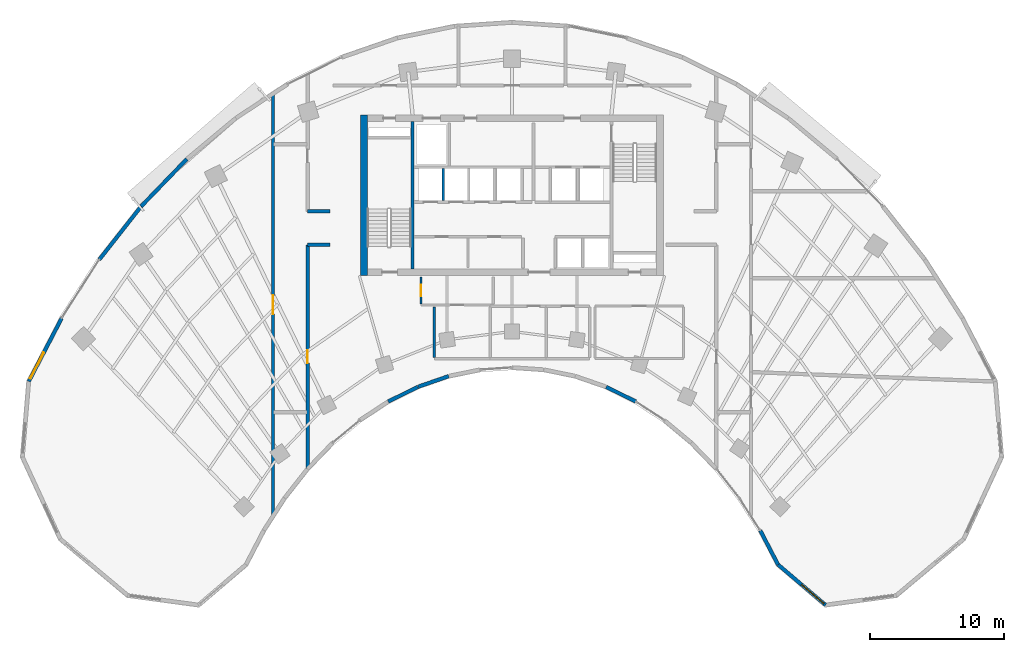
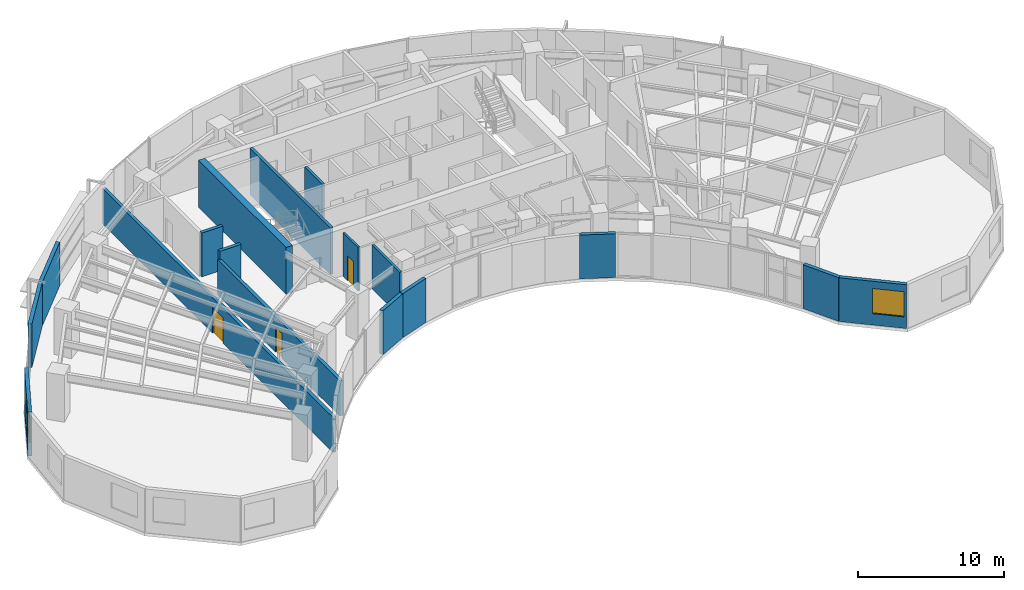
# One storey, part 8 of 14: 17 walls, 3 doors, 2 windows, 5 openings.
"""IFC4 building model written with IfcOpenShell, lengths in metres."""

from ifc_helpers import new_model, si_unit, direction, frame, frame_2d, origin, place, context, subcontext, project, spatial, rectangle, extrude, source, transform, mapped, material, layer, layer_set, type_object, type_shapes, element, fill, save


model = new_model("IFC4")

# Units and contexts
model_context = context("Model", 3, precision=1e-05, world=origin(), true_north=direction((0.0, 1.0)))
body_context = subcontext(model_context, "Body", "Model", "MODEL_VIEW")
ifc_project = project(units=[si_unit("LENGTHUNIT", "METRE"), si_unit("AREAUNIT", "SQUARE_METRE"), si_unit("VOLUMEUNIT", "CUBIC_METRE"), si_unit("PLANEANGLEUNIT", "RADIAN"), si_unit("MASSUNIT", "GRAM", prefix="KILO")], contexts=[model_context])

# Site, building, storey
site_placement = place(None, origin())
site = spatial("IfcSite", under=ifc_project, at=site_placement, CompositionType="ELEMENT")
building_placement = place(site_placement, origin())
building = spatial("IfcBuilding", under=site, at=building_placement, Name="Breltana Convention Tower", CompositionType="ELEMENT")
storey_placement = place(building_placement, frame((0.0, 0.0, 119.39990234375)))
storey = spatial("IfcBuildingStorey", under=building, at=storey_placement, Name="L28", CompositionType="ELEMENT", Elevation=119.39990234375)

# Walls
ifc_material_1 = material(Name="Concrete C60/75", Category="concrete")
ifc_layer_1 = layer(ifc_material_1, 0.5, Name="Concrete C60/75")
ifc_layer_set_1 = layer_set([ifc_layer_1], Name="Concrete C60/75")
wall_type_1 = type_object("IfcWallType", Name="SW-CORE-500", PredefinedType="SHEAR", material=ifc_layer_set_1)
shared_shape_1 = source(origin(), body_context, "Body", "SweptSolid", [
    extrude(rectangle(XDim=12.0, YDim=0.5, at=frame_2d((6.0, 0.0))), origin(), (0.0, 0.0, 1.0), 3.900146484375),
])
wall_1_placement = place(storey_placement, frame((36.949951171875, 60.199951171875, 0.0), z_axis=(0.0, 0.0, 1.0), x_axis=(0.0, 1.0, 0.0)))
element("IfcWall", 1, at=wall_1_placement, inside=storey, type_object=wall_type_1, Name="L28 West Core Shear Wall", PredefinedType="SHEAR", context=body_context, shape_type="MappedRepresentation", body=[
    mapped(shared_shape_1, transform((0.0, 0.0, 0.0), scale=1.0)),
])
ifc_material_2 = material(Name="Concrete C50/60", Category="concrete")
ifc_layer_2 = layer(ifc_material_2, 0.39990234375, Name="Concrete C50/60")
ifc_layer_set_2 = layer_set([ifc_layer_2], Name="Concrete C50/60")
wall_type_2 = type_object("IfcWallType", Name="SW-CORE-400", PredefinedType="SHEAR", material=ifc_layer_set_2)
shared_shape_2 = source(origin(), body_context, "Body", "SweptSolid", [
    extrude(rectangle(XDim=11.0, YDim=0.219970703125, at=frame_2d((5.5, 0.0))), origin(), (0.0, 0.0, 1.0), 3.900146484375),
])
wall_2_placement = place(storey_placement, frame((40.580078125, 60.699951171875, 0.0), z_axis=(0.0, 0.0, 1.0), x_axis=(0.0, 1.0, 0.0)))
element("IfcWall", 2, at=wall_2_placement, inside=storey, type_object=wall_type_2, Name="L28 Core West Stair Spine Wall", PredefinedType="SHEAR", context=body_context, shape_type="MappedRepresentation", body=[
    mapped(shared_shape_2, transform((0.0, 0.0, 0.0), scale=1.0)),
])

# Wall, opening, window
ifc_material_3 = material(Name="Limestone Buff Insulated Wall", Category="masonry")
ifc_layer_3 = layer(ifc_material_3, 0.280029296875, Name="Limestone Buff Insulated Wall")
ifc_layer_set_3 = layer_set([ifc_layer_3], Name="Limestone Buff Insulated Wall")
wall_type_3 = type_object("IfcWallType", Name="WL-EXT-NOSE-280", PredefinedType="SOLIDWALL", material=ifc_layer_set_3)
shared_shape_3 = source(origin(), body_context, "Body", "SweptSolid", [
    extrude(rectangle(XDim=4.6591796875, YDim=0.280029296875, at=frame_2d((2.32958984375, 0.0))), origin(), (0.0, 0.0, 1.0), 3.650146484375),
])
wall_3_placement = place(storey_placement, frame((71.410400390625, 35.606201171875, 0.0), z_axis=(0.0, 0.0, 1.0), x_axis=(-0.761913458795, 0.647678841176, 0.0)))
wall_3 = element("IfcWall", 3, at=wall_3_placement, inside=storey, type_object=wall_type_3, Name="L28 curved limestone nose wall E5", PredefinedType="SOLIDWALL", context=body_context, shape_type="MappedRepresentation", body=[
    mapped(shared_shape_3, transform((0.0, 0.0, 0.0), scale=1.0)),
])
opening_1_placement = place(wall_3_placement, frame((0.159912109375, 0.0, 0.949951171875)))
opening_1 = element("IfcOpeningElement", 4, at=opening_1_placement, cuts=wall_3, Name="Opening W-03", PredefinedType="OPENING", context=body_context, shape_type="SweptSolid", body=[
    extrude(rectangle(XDim=2.199951171875, YDim=2.10009765625, at=frame_2d((1.10009765625, 1.050048828125))), frame((0.0, 0.14990234375, 0.0), z_axis=(0.0, -1.0, 0.0), x_axis=(1.0, 0.0, 0.0)), (0.0, 0.0, 1.0), 0.300048828125),
])
ifc_material_4 = material(Name="Glass Low-E Insulated Window", Category="glass")
window_type = type_object("IfcWindowType", Name="WN-NOSE-2200X2100", PartitioningType="TRIPLE_PANEL_VERTICAL", PredefinedType="WINDOW", material=ifc_material_4)
shared_shape_4 = source(origin(), body_context, "Body", "SweptSolid", [
    extrude(rectangle(XDim=2.199951171875, YDim=2.10009765625, at=frame_2d((1.10009765625, 1.050048828125))), frame((0.0, 0.030029296875, 0.0), z_axis=(0.0, -1.0, 0.0), x_axis=(1.0, 0.0, 0.0)), (0.0, 0.0, 1.0), 0.06005859375),
])
type_shapes(window_type, [shared_shape_4])
window_1_placement = place(opening_1_placement, origin())
window_1 = element("IfcWindow", 5, at=window_1_placement, inside=storey, type_object=window_type, Name="L28 nose window E5", OverallHeight=2.10009765625, OverallWidth=2.199951171875, PartitioningType="TRIPLE_PANEL_VERTICAL", PredefinedType="WINDOW", context=body_context, shape_type="MappedRepresentation", body=[
    mapped(shared_shape_4, transform((0.0, 0.0, 0.0), scale=1.0)),
])
fill(opening_1, window_1)

# Walls
shared_shape_5 = source(origin(), body_context, "Body", "SweptSolid", [
    extrude(rectangle(XDim=2.8798828125, YDim=0.280029296875, at=frame_2d((1.43994140625, 0.0))), origin(), (0.0, 0.0, 1.0), 3.650146484375),
])
wall_4_placement = place(storey_placement, frame((67.860595703125, 38.623779296875, 0.0), z_axis=(0.0, 0.0, 1.0), x_axis=(-0.461769086658, 0.887000175088, 0.0)))
element("IfcWall", 6, at=wall_4_placement, inside=storey, type_object=wall_type_3, Name="L28 curved limestone nose wall E6", PredefinedType="SOLIDWALL", context=body_context, shape_type="MappedRepresentation", body=[
    mapped(shared_shape_5, transform((0.0, 0.0, 0.0), scale=1.0)),
])
shared_shape_6 = source(origin(), body_context, "Body", "SweptSolid", [
    extrude(rectangle(XDim=2.46240234375, YDim=0.280029296875, at=frame_2d((1.231201171875, 0.0))), origin(), (0.0, 0.0, 1.0), 3.650146484375),
])
for number, where, z_axis, x_axis, name in (
    (7, (57.239013671875, 50.797119140625, 0.0), (0.0, 0.0, 1.0), (-0.8959882207, 0.444077817917, 0.0), "L28 curved limestone nose wall E9"),
    (8, (40.96728515625, 51.890625, 0.0), (0.0, 0.0, 1.0), (-0.8959882207, -0.444077817917, 0.0), "L28 curved limestone nose wall E15"),
):
    element("IfcWall", number, at=place(storey_placement, frame(where, z_axis=z_axis, x_axis=x_axis)), inside=storey, type_object=wall_type_3, Name=name, PredefinedType="SOLIDWALL", context=body_context, shape_type="MappedRepresentation", body=[
        mapped(shared_shape_6, transform((0.0, 0.0, 0.0), scale=1.0)),
    ])
shared_shape_7 = source(origin(), body_context, "Body", "SweptSolid", [
    extrude(rectangle(XDim=2.41064453125, YDim=0.280029296875, at=frame_2d((1.205322265625, 0.0))), origin(), (0.0, 0.0, 1.0), 3.650146484375),
])
wall_5_placement = place(storey_placement, frame((43.26611328125, 52.688720703125, 0.0), z_axis=(0.0, 0.0, 1.0), x_axis=(-0.944880068161, -0.327416640982, 0.0)))
element("IfcWall", 9, at=wall_5_placement, inside=storey, type_object=wall_type_3, Name="L28 curved limestone nose wall E14", PredefinedType="SOLIDWALL", context=body_context, shape_type="MappedRepresentation", body=[
    mapped(shared_shape_7, transform((0.0, 0.0, 0.0), scale=1.0)),
])

# Wall, opening, window
shared_shape_8 = source(origin(), body_context, "Body", "SweptSolid", [
    extrude(rectangle(XDim=5.315185546875, YDim=0.280029296875, at=frame_2d((2.65771484375, 0.0))), origin(), (0.0, 0.0, 1.0), 3.650146484375),
])
wall_6_placement = place(storey_placement, frame((11.92236328125, 52.305419921875, 0.0), z_axis=(0.0, 0.0, 1.0), x_axis=(0.461760527822, 0.887004630735, 0.0)))
wall_6 = element("IfcWall", 10, at=wall_6_placement, inside=storey, type_object=wall_type_3, Name="L28 curved limestone nose wall W7", PredefinedType="SOLIDWALL", context=body_context, shape_type="MappedRepresentation", body=[
    mapped(shared_shape_8, transform((0.0, 0.0, 0.0), scale=1.0)),
])
opening_2_placement = place(wall_6_placement, frame((0.228759765625, 0.0, 0.949951171875)))
opening_2 = element("IfcOpeningElement", 11, at=opening_2_placement, cuts=wall_6, Name="Opening W-03", PredefinedType="OPENING", context=body_context, shape_type="SweptSolid", body=[
    extrude(rectangle(XDim=2.199951171875, YDim=2.10009765625, at=frame_2d((1.10009765625, 1.050048828125))), frame((0.0, 0.14990234375, 0.0), z_axis=(0.0, -1.0, 0.0), x_axis=(1.0, 0.0, 0.0)), (0.0, 0.0, 1.0), 0.300048828125),
])
window_2_placement = place(opening_2_placement, origin())
window_2 = element("IfcWindow", 12, at=window_2_placement, inside=storey, type_object=window_type, Name="L28 nose window W7", OverallHeight=2.10009765625, OverallWidth=2.199951171875, PartitioningType="TRIPLE_PANEL_VERTICAL", PredefinedType="WINDOW", context=body_context, shape_type="MappedRepresentation", body=[
    mapped(shared_shape_4, transform((0.0, 0.0, 0.0), scale=1.0)),
])
fill(opening_2, window_2)

# Walls
shared_shape_9 = source(origin(), body_context, "Body", "SweptSolid", [
    extrude(rectangle(XDim=5.05810546875, YDim=0.280029296875, at=frame_2d((2.529052734375, 0.0))), origin(), (0.0, 0.0, 1.0), 3.650146484375),
])
wall_7_placement = place(storey_placement, frame((17.1884765625, 61.400390625, 0.0), z_axis=(0.0, 0.0, 1.0), x_axis=(0.618145507434, 0.786063694391, 0.0)))
element("IfcWall", 13, at=wall_7_placement, inside=storey, type_object=wall_type_3, Name="L28 curved limestone nose wall E20", PredefinedType="SOLIDWALL", context=body_context, shape_type="MappedRepresentation", body=[
    mapped(shared_shape_9, transform((0.0, 0.0, 0.0), scale=1.0)),
])
shared_shape_10 = source(origin(), body_context, "Body", "SweptSolid", [
    extrude(rectangle(XDim=4.908447265625, YDim=0.280029296875, at=frame_2d((2.4541015625, 0.0))), origin(), (0.0, 0.0, 1.0), 3.650146484375),
])
wall_8_placement = place(storey_placement, frame((20.315185546875, 65.37646484375, 0.0), z_axis=(0.0, 0.0, 1.0), x_axis=(0.694613154328, 0.719383462302, 0.0)))
element("IfcWall", 14, at=wall_8_placement, inside=storey, type_object=wall_type_3, Name="L28 curved limestone nose wall E21", PredefinedType="SOLIDWALL", context=body_context, shape_type="MappedRepresentation", body=[
    mapped(shared_shape_10, transform((0.0, 0.0, 0.0), scale=1.0)),
])
ifc_material_5 = material(Name="Autoclaved Aerated Concrete Block", Category="concrete")
ifc_layer_4 = layer(ifc_material_5, 0.199951171875, Name="Autoclaved Aerated Concrete Block")
ifc_layer_set_4 = layer_set([ifc_layer_4], Name="Autoclaved Aerated Concrete Block")
wall_type_4 = type_object("IfcWallType", Name="WL-SHAFT-200", PredefinedType="SOLIDWALL", material=ifc_layer_set_4)
shared_shape_11 = source(origin(), body_context, "Body", "SweptSolid", [
    extrude(rectangle(XDim=2.39990234375, YDim=0.199951171875, at=frame_2d((1.199951171875, 0.0))), origin(), (0.0, 0.0, 1.0), 3.650146484375),
])
wall_9_placement = place(storey_placement, frame((42.8701171875, 65.800048828125, 0.0), z_axis=(0.0, 0.0, 1.0), x_axis=(0.0, 1.0, 0.0)))
element("IfcWall", 15, at=wall_9_placement, inside=storey, type_object=wall_type_4, Name="L28 interior partition W-L28-SH-M-DIV1", PredefinedType="SOLIDWALL", context=body_context, shape_type="MappedRepresentation", body=[
    mapped(shared_shape_11, transform((0.0, 0.0, 0.0), scale=1.0)),
])
ifc_material_6 = material(Name="Cement Board Wet-Area Partition")
ifc_layer_5 = layer(ifc_material_6, 0.175048828125, Name="Cement Board Wet-Area Partition")
ifc_layer_set_5 = layer_set([ifc_layer_5], Name="Cement Board Wet-Area Partition")
wall_type_5 = type_object("IfcWallType", Name="WL-WET-175", PredefinedType="PARTITIONING", material=ifc_layer_set_5)
shared_shape_12 = source(origin(), body_context, "Body", "SweptSolid", [
    extrude(rectangle(XDim=3.7626953125, YDim=0.175048828125, at=frame_2d((1.88134765625, 0.0))), origin(), (0.0, 0.0, 1.0), 3.650146484375),
])
wall_10_placement = place(storey_placement, frame((42.199951171875, 54.07861328125, 0.0), z_axis=(0.0, 0.0, 1.0), x_axis=(0.0, 1.0, 0.0)))
element("IfcWall", 16, at=wall_10_placement, inside=storey, type_object=wall_type_5, Name="L28 interior partition W-L28-WCM-W", PredefinedType="PARTITIONING", context=body_context, shape_type="MappedRepresentation", body=[
    mapped(shared_shape_12, transform((0.0, 0.0, 0.0), scale=1.0)),
])

# Wall, opening, door
ifc_material_7 = material(Name="Gypsum Acoustic Drywall Partition")
ifc_layer_6 = layer(ifc_material_7, 0.14990234375, Name="Gypsum Acoustic Drywall Partition")
ifc_layer_set_6 = layer_set([ifc_layer_6], Name="Gypsum Acoustic Drywall Partition")
wall_type_6 = type_object("IfcWallType", Name="WL-PART-150", PredefinedType="PARTITIONING", material=ifc_layer_set_6)
shared_shape_13 = source(origin(), body_context, "Body", "SweptSolid", [
    extrude(rectangle(XDim=2.03271484375, YDim=0.14990234375, at=frame_2d((1.016357421875, 0.0))), origin(), (0.0, 0.0, 1.0), 3.650146484375),
])
wall_11_placement = place(storey_placement, frame((41.199951171875, 58.0673828125, 0.0), z_axis=(0.0, 0.0, 1.0), x_axis=(0.0, 1.0, 0.0)))
wall_11 = element("IfcWall", 17, at=wall_11_placement, inside=storey, type_object=wall_type_6, Name="L28 interior partition W-L28-CRSC-W", PredefinedType="PARTITIONING", context=body_context, shape_type="MappedRepresentation", body=[
    mapped(shared_shape_13, transform((0.0, 0.0, 0.0), scale=1.0)),
])
opening_3_placement = place(wall_11_placement, frame((0.59130859375, 0.0, 0.0)))
opening_3 = element("IfcOpeningElement", 18, at=opening_3_placement, cuts=wall_11, Name="Opening D-20", PredefinedType="OPENING", context=body_context, shape_type="SweptSolid", body=[
    extrude(rectangle(XDim=0.85009765625, YDim=2.10009765625, at=frame_2d((0.425048828125, 1.050048828125))), frame((0.0, 0.0849609375, 0.0), z_axis=(0.0, -1.0, 0.0), x_axis=(1.0, 0.0, 0.0)), (0.0, 0.0, 1.0), 0.169921875),
])
ifc_material_8 = material(Name="Steel Closet Fire Door", Category="steel")
door_type_1 = type_object("IfcDoorType", Name="DR-FD60-850", OperationType="NOTDEFINED", PredefinedType="DOOR", material=ifc_material_8)
shared_shape_14 = source(origin(), body_context, "Body", "SweptSolid", [
    extrude(rectangle(XDim=0.85009765625, YDim=2.10009765625, at=frame_2d((0.425048828125, 1.050048828125))), frame((0.0, 0.02490234375, 0.0), z_axis=(0.0, -1.0, 0.0), x_axis=(1.0, 0.0, 0.0)), (0.0, 0.0, 1.0), 0.050048828125),
])
type_shapes(door_type_1, [shared_shape_14])
door_1_placement = place(opening_3_placement, origin())
door_1 = element("IfcDoor", 19, at=door_1_placement, inside=storey, type_object=door_type_1, Name="L28 interior door D-L28-CRSC", OperationType="SINGLE_SWING_LEFT", OverallHeight=2.10009765625, OverallWidth=0.85009765625, PredefinedType="DOOR", context=body_context, shape_type="MappedRepresentation", body=[
    mapped(shared_shape_14, transform((0.0, 0.0, 0.0), scale=1.0)),
])
fill(opening_3, door_1)

ifc_material_9 = material(Name="Gypsum Acoustic Double Stud Wall")
ifc_layer_7 = layer(ifc_material_9, 0.25, Name="Gypsum Acoustic Double Stud Wall")
ifc_layer_set_7 = layer_set([ifc_layer_7], Name="Gypsum Acoustic Double Stud Wall")
wall_type_7 = type_object("IfcWallType", Name="WL-ACOUSTIC-250", PredefinedType="PARTITIONING", material=ifc_layer_set_7)
shared_shape_15 = source(origin(), body_context, "Body", "SweptSolid", [
    extrude(rectangle(XDim=31.495361328125, YDim=0.25, at=frame_2d((15.74755859375, 0.0))), origin(), (0.0, 0.0, 1.0), 2.942138671875),
])
wall_12_placement = place(storey_placement, frame((30.159912109375, 42.274169921875, 0.0), z_axis=(0.0, 0.0, 1.0), x_axis=(0.0, 1.0, 0.0)))
wall_12 = element("IfcWall", 20, at=wall_12_placement, inside=storey, type_object=wall_type_7, Name="L28 interior partition W-L28-ZW1-E", PredefinedType="PARTITIONING", context=body_context, shape_type="MappedRepresentation", body=[
    mapped(shared_shape_15, transform((0.0, 0.0, 0.0), scale=1.0)),
])
opening_4_placement = place(wall_12_placement, frame((15.047607421875, 0.0, 0.0)))
opening_4 = element("IfcOpeningElement", 21, at=opening_4_placement, cuts=wall_12, Name="Opening D-05", PredefinedType="OPENING", context=body_context, shape_type="SweptSolid", body=[
    extrude(rectangle(XDim=1.39990234375, YDim=2.14990234375, at=frame_2d((0.699951171875, 1.074951171875))), frame((0.0, 0.135009765625, 0.0), z_axis=(0.0, -1.0, 0.0), x_axis=(1.0, 0.0, 0.0)), (0.0, 0.0, 1.0), 0.27001953125),
])
ifc_material_10 = material(Name="Timber Veneer Glazed Double Door", Category="wood")
door_type_2 = type_object("IfcDoorType", Name="DR-DBL-1400", OperationType="DOUBLE_DOOR_SINGLE_SWING", PredefinedType="DOOR", material=ifc_material_10)
shared_shape_16 = source(origin(), body_context, "Body", "SweptSolid", [
    extrude(rectangle(XDim=1.39990234375, YDim=2.14990234375, at=frame_2d((0.699951171875, 1.074951171875))), frame((0.0, 0.02490234375, 0.0), z_axis=(0.0, -1.0, 0.0), x_axis=(1.0, 0.0, 0.0)), (0.0, 0.0, 1.0), 0.050048828125),
])
type_shapes(door_type_2, [shared_shape_16])
door_2_placement = place(opening_4_placement, origin())
door_2 = element("IfcDoor", 22, at=door_2_placement, inside=storey, type_object=door_type_2, Name="L28 interior door D-L28-ZW1", OperationType="SINGLE_SWING_RIGHT", OverallHeight=2.14990234375, OverallWidth=1.39990234375, PredefinedType="DOOR", context=body_context, shape_type="MappedRepresentation", body=[
    mapped(shared_shape_16, transform((0.0, 0.0, 0.0), scale=1.0)),
])
fill(opening_4, door_2)

shared_shape_17 = source(origin(), body_context, "Body", "SweptSolid", [
    extrude(rectangle(XDim=16.70556640625, YDim=0.25, at=frame_2d((8.352783203125, 0.0))), origin(), (0.0, 0.0, 1.0), 2.942138671875),
])
wall_13_placement = place(storey_placement, frame((32.739990234375, 45.79443359375, 0.0), z_axis=(0.0, 0.0, 1.0), x_axis=(0.0, 1.0, 0.0)))
wall_13 = element("IfcWall", 23, at=wall_13_placement, inside=storey, type_object=wall_type_7, Name="L28 interior partition W-L28-ZMW1-D", PredefinedType="PARTITIONING", context=body_context, shape_type="MappedRepresentation", body=[
    mapped(shared_shape_17, transform((0.0, 0.0, 0.0), scale=1.0)),
])
opening_5_placement = place(wall_13_placement, frame((7.877685546875, 0.0, 0.0)))
opening_5 = element("IfcOpeningElement", 24, at=opening_5_placement, cuts=wall_13, Name="Opening D-17", PredefinedType="OPENING", context=body_context, shape_type="SweptSolid", body=[
    extrude(rectangle(XDim=0.949951171875, YDim=2.10009765625, at=frame_2d((0.47509765625, 1.050048828125))), frame((0.0, 0.135009765625, 0.0), z_axis=(0.0, -1.0, 0.0), x_axis=(1.0, 0.0, 0.0)), (0.0, 0.0, 1.0), 0.27001953125),
])
ifc_material_11 = material(Name="Timber Oak Veneer Door", Category="wood")
door_type_3 = type_object("IfcDoorType", Name="DR-INT-950", OperationType="NOTDEFINED", PredefinedType="DOOR", material=ifc_material_11)
shared_shape_18 = source(origin(), body_context, "Body", "SweptSolid", [
    extrude(rectangle(XDim=0.949951171875, YDim=2.10009765625, at=frame_2d((0.47509765625, 1.050048828125))), frame((0.0, 0.02490234375, 0.0), z_axis=(0.0, -1.0, 0.0), x_axis=(1.0, 0.0, 0.0)), (0.0, 0.0, 1.0), 0.050048828125),
])
type_shapes(door_type_3, [shared_shape_18])
door_3_placement = place(opening_5_placement, origin())
door_3 = element("IfcDoor", 25, at=door_3_placement, inside=storey, type_object=door_type_3, Name="L28 interior door D-L28-ZMW1", OperationType="SINGLE_SWING_RIGHT", OverallHeight=2.10009765625, OverallWidth=0.949951171875, PredefinedType="DOOR", context=body_context, shape_type="MappedRepresentation", body=[
    mapped(shared_shape_18, transform((0.0, 0.0, 0.0), scale=1.0)),
])
fill(opening_5, door_3)

# Walls
shared_shape_19 = source(origin(), body_context, "Body", "SweptSolid", [
    extrude(rectangle(XDim=1.659912109375, YDim=0.25, at=frame_2d((0.830078125, 0.0))), origin(), (0.0, 0.0, 1.0), 3.650146484375),
])
for number, where, z_axis, x_axis, name in (
    (26, (32.739990234375, 62.5, 0.0), (0.0, 0.0, 1.0), (1.0, 0.0, 0.0), "L28 interior partition W-L28-ZMW1-TN"),
    (27, (32.739990234375, 65.0, 0.0), (0.0, 0.0, 1.0), (1.0, 0.0, 0.0), "L28 interior partition W-L28-ZMW2-TS"),
):
    element("IfcWall", number, at=place(storey_placement, frame(where, z_axis=z_axis, x_axis=x_axis)), inside=storey, type_object=wall_type_7, Name=name, PredefinedType="PARTITIONING", context=body_context, shape_type="MappedRepresentation", body=[
        mapped(shared_shape_19, transform((0.0, 0.0, 0.0), scale=1.0)),
    ])

save(model, "model.ifc")
